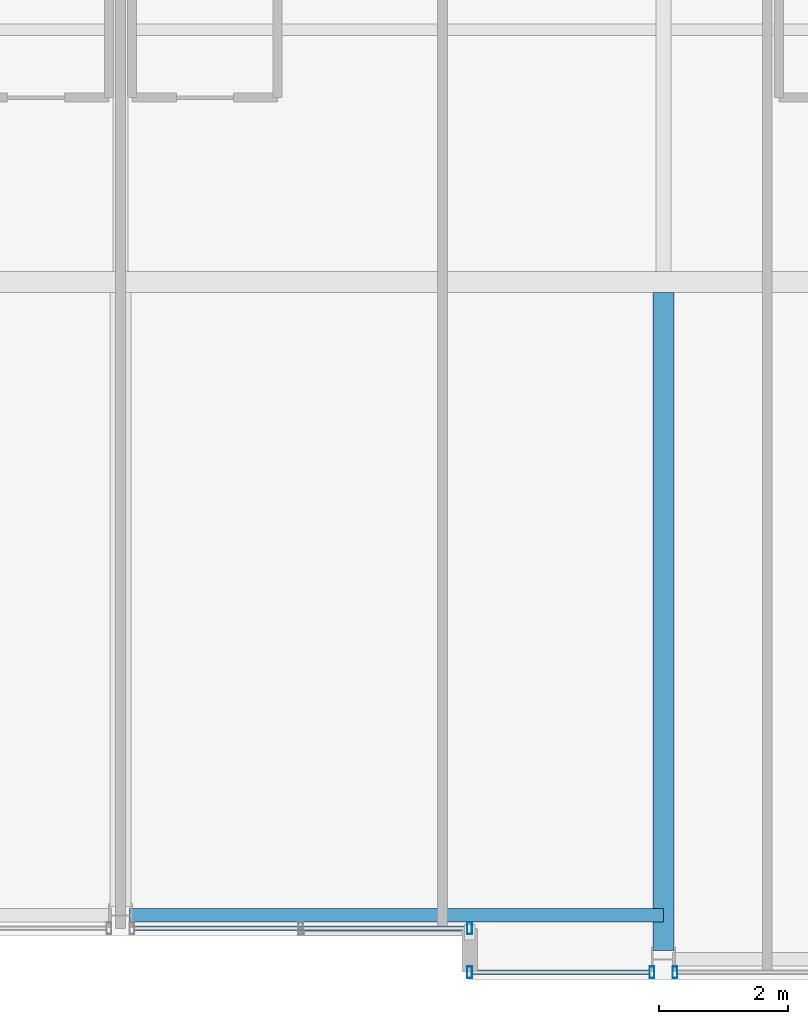
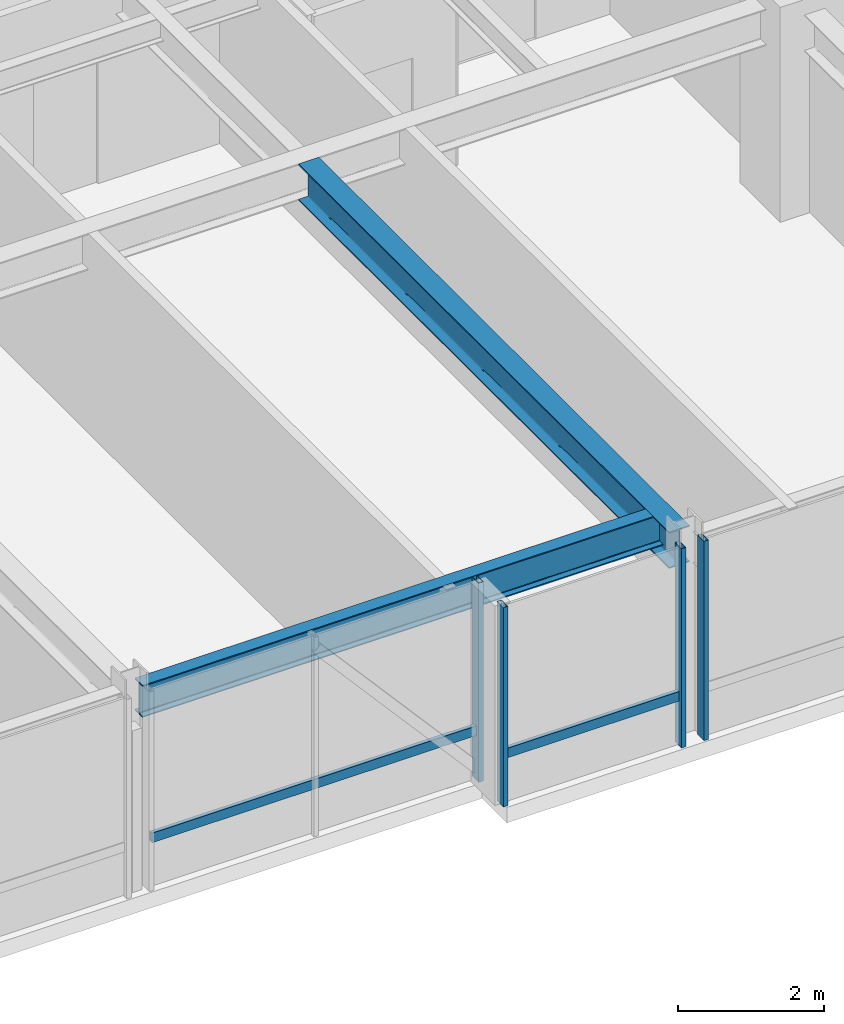
# One storey, part 7 of 33: 6 members, 2 beams, 3 elements without a shape of their own.
"""IFC4 building model written with IfcOpenShell, lengths in metres."""

from ifc_helpers import new_model, si_unit, direction, frame, origin, origin_2d, place, context, subcontext, project, spatial, hollow_rectangle, i_section, extrude, material, layer, layer_set, material_profile, profile_set, type_object, element, aggregate, save


model = new_model("IFC4")

# Units and contexts
model_context = context("Model", 3, precision=1e-05, world=origin(), true_north=direction((0.0, 1.0)))
body_context = subcontext(model_context, "Body", "Model", "MODEL_VIEW")
ifc_project = project(units=[si_unit("LENGTHUNIT", "METRE"), si_unit("AREAUNIT", "SQUARE_METRE"), si_unit("VOLUMEUNIT", "CUBIC_METRE"), si_unit("PLANEANGLEUNIT", "RADIAN"), si_unit("MASSUNIT", "GRAM", prefix="KILO")], contexts=[model_context])

# Site, building, storey
site_placement = place(None, origin())
site = spatial("IfcSite", under=ifc_project, at=site_placement, CompositionType="ELEMENT")
building_placement = place(site_placement, origin())
building = spatial("IfcBuilding", under=site, at=building_placement, Name="Drelvath Grand Hotel", CompositionType="ELEMENT")
storey_placement = place(building_placement, frame((0.0, 0.0, 248.300048828125)))
storey = spatial("IfcBuildingStorey", under=building, at=storey_placement, Name="L65", CompositionType="ELEMENT", Elevation=248.300048828125)

# Curtain wall, member
ifc_material_1 = material(Name="Platinum-Mist Anodised Aluminium Frame", Category="aluminium")
ifc_layer = layer(ifc_material_1, 0.199951171875)
ifc_layer_set = layer_set([ifc_layer], Name="Platinum-Mist Anodised Aluminium Frame")
curtain_wall_type = type_object("IfcCurtainWallType", Name="Stick Curtain Wall CW-05 Platinum Mist High-Rise", PredefinedType="NOTDEFINED", material=ifc_layer_set)
curtain_wall_1_placement = place(storey_placement, origin())
curtain_wall_1 = element("IfcCurtainWall", 1, at=curtain_wall_1_placement, inside=storey, type_object=curtain_wall_type, Name="L65 CW-05 Curtain Wall CW05-L65-SE1", PredefinedType="NOTDEFINED")
ifc_material_profile_1 = material_profile(ifc_material_1, hollow_rectangle(XDim=0.06494140625, YDim=0.159912109375, WallThickness=0.00390625, at=origin_2d()), Name="HSS160X65X4")
ifc_profile_set_1 = profile_set([ifc_material_profile_1], Name="Platinum-Mist Anodised Aluminium Frame")
member_type_1 = type_object("IfcMemberType", Name="Curtain Wall Horizontal Transom CW-05 HSS160X65X4", PredefinedType="USERDEFINED", material=ifc_profile_set_1)
member_1_placement = place(storey_placement, frame((8.181884765625, 0.1201171875, 0.8349609375), z_axis=(-1.0, 0.0, 0.0), x_axis=(0.0, -1.0, 0.0)))
member_1 = element("IfcMember", 2, at=member_1_placement, type_object=member_type_1, Name="CW05-L65-SE1 Sill Transom", ObjectType="TRANSOM", PredefinedType="USERDEFINED", context=body_context, shape_type="SweptSolid", body=[
    extrude(hollow_rectangle(XDim=0.06494140625, YDim=0.159912109375, WallThickness=0.00390625, at=origin_2d()), origin(), (0.0, 0.0, 1.0), 2.741943359375),
])

curtain_wall_2_placement = place(storey_placement, origin())
curtain_wall_2 = element("IfcCurtainWall", 3, at=curtain_wall_2_placement, inside=storey, type_object=curtain_wall_type, Name="L65 CW-05 Curtain Wall CW05-L65-SM2", PredefinedType="NOTDEFINED")
member_2_placement = place(storey_placement, frame((5.360107421875, 0.800048828125, 0.8349609375), z_axis=(-1.0, 0.0, 0.0), x_axis=(0.0, -1.0, 0.0)))
member_2 = element("IfcMember", 4, at=member_2_placement, type_object=member_type_1, Name="CW05-L65-SM2 Sill Transom", ObjectType="TRANSOM", PredefinedType="USERDEFINED", context=body_context, shape_type="SweptSolid", body=[
    extrude(hollow_rectangle(XDim=0.06494140625, YDim=0.159912109375, WallThickness=0.00390625, at=origin_2d()), origin(), (0.0, 0.0, 1.0), 5.141845703125),
])

# Member
ifc_material_profile_2 = material_profile(ifc_material_1, hollow_rectangle(XDim=0.074951171875, YDim=0.179931640625, WallThickness=0.0048828125, at=origin_2d()), Name="HSS180X75X5")
ifc_profile_set_2 = profile_set([ifc_material_profile_2], Name="Platinum-Mist Anodised Aluminium Frame")
member_type_2 = type_object("IfcMemberType", Name="Curtain Wall Vertical Mullion CW-05 HSS180X75X5", PredefinedType="MULLION", material=ifc_profile_set_2)
member_3_placement = place(storey_placement, frame((8.2216796875, 0.1201171875, 0.0), z_axis=(0.0, 0.0, 1.0), x_axis=(1.0, 0.0, 0.0)))
member_3 = element("IfcMember", 5, at=member_3_placement, type_object=member_type_2, Name="CW05-L65-SE1 Mullion 1", PredefinedType="MULLION", context=body_context, shape_type="SweptSolid", body=[
    extrude(hollow_rectangle(XDim=0.074951171875, YDim=0.179931640625, WallThickness=0.0048828125, at=origin_2d()), origin(), (0.0, 0.0, 1.0), 3.33984375),
])

member_4_placement = place(storey_placement, frame((5.39990234375, 0.1201171875, 0.0), z_axis=(0.0, 0.0, 1.0), x_axis=(1.0, 0.0, 0.0)))
member_4 = element("IfcMember", 6, at=member_4_placement, type_object=member_type_2, Name="CW05-L65-SE1 Mullion 2", PredefinedType="MULLION", context=body_context, shape_type="SweptSolid", body=[
    extrude(hollow_rectangle(XDim=0.074951171875, YDim=0.179931640625, WallThickness=0.0048828125, at=origin_2d()), origin(), (0.0, 0.0, 1.0), 3.33984375),
])

aggregate(curtain_wall_1, [member_3, member_4, member_1])

# Curtain wall, member
curtain_wall_3_placement = place(storey_placement, origin())
curtain_wall_3 = element("IfcCurtainWall", 7, at=curtain_wall_3_placement, inside=storey, type_object=curtain_wall_type, Name="L65 CW-05 Curtain Wall CW05-L65-SE2", PredefinedType="NOTDEFINED")
member_5_placement = place(storey_placement, frame((8.578125, 0.1201171875, 0.0), z_axis=(0.0, 0.0, 1.0), x_axis=(1.0, 0.0, 0.0)))
member_5 = element("IfcMember", 8, at=member_5_placement, type_object=member_type_2, Name="CW05-L65-SE2 Mullion 3", PredefinedType="MULLION", context=body_context, shape_type="SweptSolid", body=[
    extrude(hollow_rectangle(XDim=0.074951171875, YDim=0.179931640625, WallThickness=0.0048828125, at=origin_2d()), origin(), (0.0, 0.0, 1.0), 3.33984375),
])
aggregate(curtain_wall_3, [member_5])

# Member
member_6_placement = place(storey_placement, frame((5.39990234375, 0.800048828125, 0.0), z_axis=(0.0, 0.0, 1.0), x_axis=(1.0, 0.0, 0.0)))
member_6 = element("IfcMember", 9, at=member_6_placement, type_object=member_type_2, Name="CW05-L65-SM2 Mullion 1", PredefinedType="MULLION", context=body_context, shape_type="SweptSolid", body=[
    extrude(hollow_rectangle(XDim=0.074951171875, YDim=0.179931640625, WallThickness=0.0048828125, at=origin_2d()), origin(), (0.0, 0.0, 1.0), 3.33984375),
])

aggregate(curtain_wall_2, [member_6, member_2])

# Beams
ifc_material_2 = material(Name="Steel ASTM A992 Gr 50", Category="steel")
ifc_material_profile_3 = material_profile(ifc_material_2, i_section(OverallWidth=0.210205078125, OverallDepth=0.53662109375, WebThickness=0.010986328125, FlangeThickness=0.017333984375, FilletRadius=0.01806640625, at=origin_2d()), Name="W21X68")
ifc_profile_set_3 = profile_set([ifc_material_profile_3], Name="Steel ASTM A992 Gr 50")
beam_type_1 = type_object("IfcBeamType", Name="Perimeter Spandrel Beam W21X68", PredefinedType="SPANDREL", material=ifc_profile_set_3)
beam_1_placement = place(storey_placement, frame((0.139892578125, 1.0, 3.071533203125), z_axis=(1.0, 0.0, 0.0), x_axis=(0.0, 1.0, 0.0)))
element("IfcBeam", 10, at=beam_1_placement, inside=storey, type_object=beam_type_1, Name="L65 Spandrel South Mid E", PredefinedType="SPANDREL", context=body_context, shape_type="SweptSolid", body=[
    extrude(i_section(OverallWidth=0.210205078125, OverallDepth=0.53662109375, WebThickness=0.010986328125, FlangeThickness=0.017333984375, FilletRadius=0.01806640625, at=origin_2d()), origin(), (0.0, 0.0, 1.0), 8.260009765625),
])
ifc_material_profile_4 = material_profile(ifc_material_2, i_section(OverallWidth=0.323974609375, OverallDepth=0.611083984375, WebThickness=0.0126953125, FlangeThickness=0.01904296875, FilletRadius=0.02197265625, at=origin_2d()), Name="W24X104")
ifc_profile_set_4 = profile_set([ifc_material_profile_4], Name="Steel ASTM A992 Gr 50")
beam_type_2 = type_object("IfcBeamType", Name="Primary Floor Girder W24X104", PredefinedType="BEAM", material=ifc_profile_set_4)
beam_2_placement = place(storey_placement, frame((8.39990234375, 0.4599609375, 3.034423828125), z_axis=(0.0, 1.0, 0.0), x_axis=(-1.0, 0.0, 0.0)))
element("IfcBeam", 11, at=beam_2_placement, inside=storey, type_object=beam_type_2, Name="L65 South Wing Girder 6", PredefinedType="BEAM", context=body_context, shape_type="SweptSolid", body=[
    extrude(i_section(OverallWidth=0.323974609375, OverallDepth=0.611083984375, WebThickness=0.0126953125, FlangeThickness=0.01904296875, FilletRadius=0.02197265625, at=origin_2d()), origin(), (0.0, 0.0, 1.0), 10.177978515625),
])

save(model, "model.ifc")
